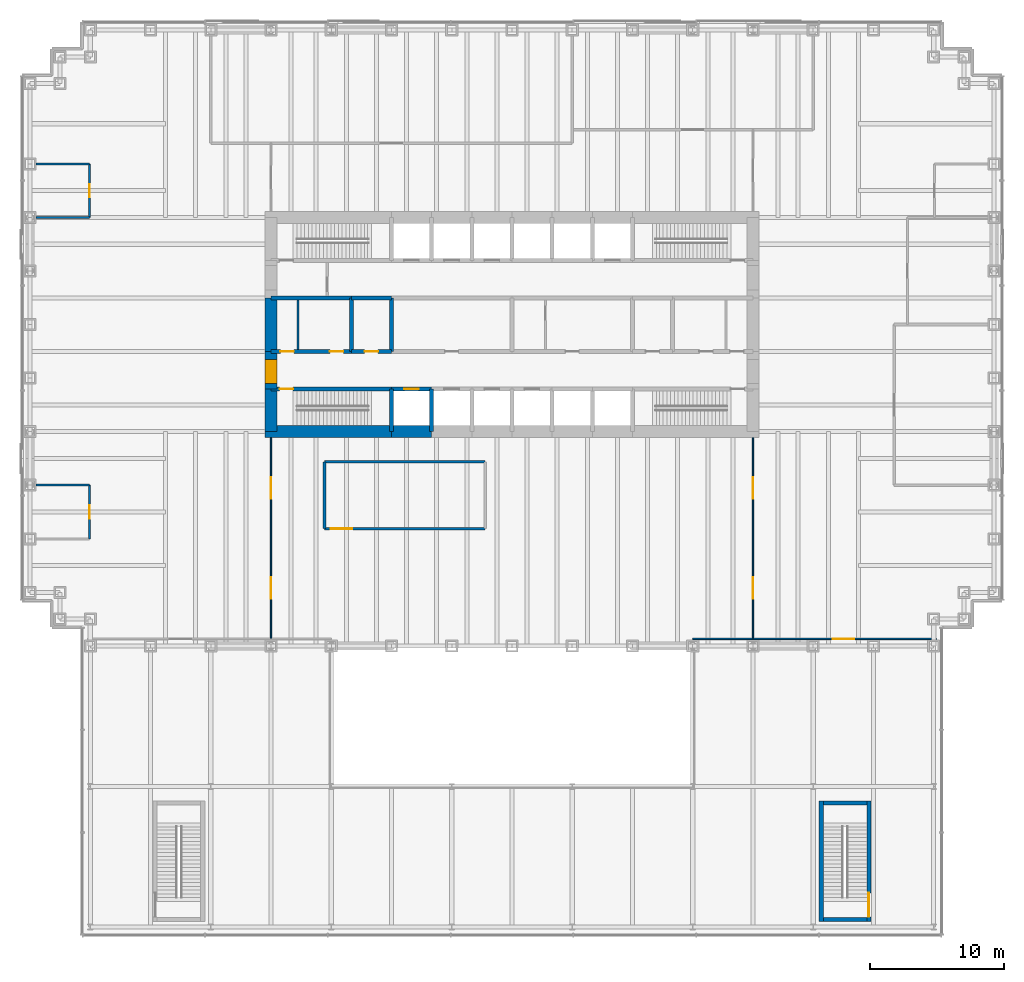
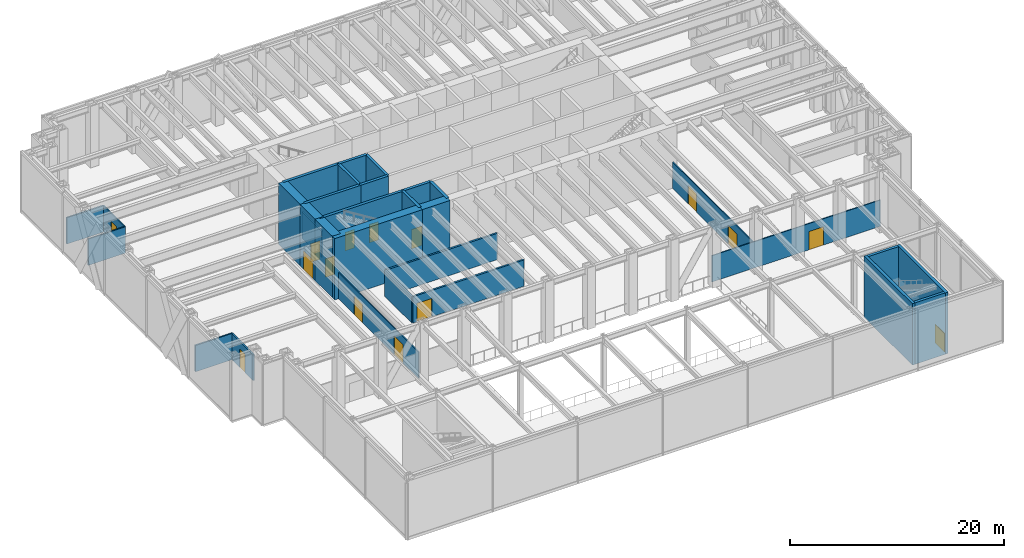
# One storey, part 13 of 17: 31 walls, 15 doors, 15 openings.
"""IFC4 building model written with IfcOpenShell, lengths in metres."""

from ifc_helpers import new_model, si_unit, direction, frame, frame_2d, origin, place, context, subcontext, project, spatial, rectangle, extrude, material, layer, layer_set, type_object, element, fill, save


model = new_model("IFC4")

# Units and contexts
model_context = context("Model", 3, precision=1e-05, world=origin(), true_north=direction((0.0, 1.0)))
body_context = subcontext(model_context, "Body", "Model", "MODEL_VIEW")
ifc_project = project(units=[si_unit("LENGTHUNIT", "METRE"), si_unit("AREAUNIT", "SQUARE_METRE"), si_unit("VOLUMEUNIT", "CUBIC_METRE"), si_unit("PLANEANGLEUNIT", "RADIAN"), si_unit("MASSUNIT", "GRAM", prefix="KILO")], contexts=[model_context])

# Site, building, storey
site_placement = place(None, origin())
site = spatial("IfcSite", under=ifc_project, at=site_placement, CompositionType="ELEMENT")
building_placement = place(site_placement, origin())
building = spatial("IfcBuilding", under=site, at=building_placement, Name="Rheinbord Bourse Tower", CompositionType="ELEMENT")
storey_placement = place(building_placement, frame((0.0, 0.0, 6.0)))
storey = spatial("IfcBuildingStorey", under=building, at=storey_placement, Name="L01", CompositionType="ELEMENT", Elevation=6.0)

# Wall, opening, door
ifc_material_1 = material(Name="Acoustic gypsum board partition", Category="gypsum board")
ifc_layer_1 = layer(ifc_material_1, 0.199951171875)
ifc_layer_set_1 = layer_set([ifc_layer_1], Name="ACOUSTIC PARTITION 200")
wall_type_1 = type_object("IfcWallType", Name="ACOUSTIC PARTITION 200", PredefinedType="PARTITIONING", material=ifc_layer_set_1)
wall_1_placement = place(storey_placement, frame((22.0, 8.75, 0.0), z_axis=(0.0, 0.0, 1.0), x_axis=(1.0, 0.0, 0.0)))
wall_1 = element("IfcWall", 1, at=wall_1_placement, inside=storey, type_object=wall_type_1, Name="Partition L01-02", PredefinedType="PARTITIONING", context=body_context, shape_type="SweptSolid", body=[
    extrude(rectangle(XDim=12.0, YDim=0.199951171875, at=frame_2d((6.0, 0.0))), origin(), (0.0, 0.0, 1.0), 3.0),
])
opening_1_placement = place(wall_1_placement, frame((0.449951171875, 0.0, 0.0)))
opening_1 = element("IfcOpeningElement", 2, at=opening_1_placement, cuts=wall_1, Name="Opening 01D02", PredefinedType="OPENING", context=body_context, shape_type="SweptSolid", body=[
    extrude(rectangle(XDim=1.60009765625, YDim=2.10009765625, at=frame_2d((0.800048828125, 1.050048828125))), frame((0.0, 0.10986328125, 0.0), z_axis=(0.0, -1.0, 0.0), x_axis=(1.0, 0.0, 0.0)), (0.0, 0.0, 1.0), 0.219970703125),
])
ifc_material_2 = material(Name="Timber door", Category="wood")
door_type_1 = type_object("IfcDoorType", Name="DOUBLE ROOM DOOR 1600", OperationType="DOUBLE_DOOR_DOUBLE_SWING", PredefinedType="DOOR", material=ifc_material_2)
door_1_placement = place(opening_1_placement, origin())
door_1 = element("IfcDoor", 3, at=door_1_placement, inside=storey, type_object=door_type_1, Name="Conference room door L01", OperationType="SINGLE_SWING_LEFT", OverallHeight=2.10009765625, OverallWidth=1.60009765625, PredefinedType="DOOR", context=body_context, shape_type="SweptSolid", body=[
    extrude(rectangle(XDim=1.60009765625, YDim=2.10009765625, at=frame_2d((0.800048828125, 1.050048828125))), frame((0.0, 0.02490234375, 0.0), z_axis=(0.0, -1.0, 0.0), x_axis=(1.0, 0.0, 0.0)), (0.0, 0.0, 1.0), 0.050048828125),
])
fill(opening_1, door_1)

# Walls
wall_2_placement = place(storey_placement, frame((22.0, 13.75, 0.0), z_axis=(0.0, 0.0, 1.0), x_axis=(1.0, 0.0, 0.0)))
element("IfcWall", 4, at=wall_2_placement, inside=storey, type_object=wall_type_1, Name="Partition L01-05", PredefinedType="PARTITIONING", context=body_context, shape_type="SweptSolid", body=[
    extrude(rectangle(XDim=12.0, YDim=0.199951171875, at=frame_2d((6.0, 0.0))), origin(), (0.0, 0.0, 1.0), 3.0),
])
wall_3_placement = place(storey_placement, frame((22.0, 8.75, 0.0), z_axis=(0.0, 0.0, 1.0), x_axis=(0.0, 1.0, 0.0)))
element("IfcWall", 5, at=wall_3_placement, inside=storey, type_object=wall_type_1, Name="Partition L01-18", PredefinedType="PARTITIONING", context=body_context, shape_type="SweptSolid", body=[
    extrude(rectangle(XDim=5.0, YDim=0.199951171875, at=frame_2d((2.5, 0.0))), origin(), (0.0, 0.0, 1.0), 3.0),
])

# Wall, opening, door
ifc_material_3 = material(Name="Concrete C50/60", Category="concrete")
ifc_layer_2 = layer(ifc_material_3, 0.300048828125)
ifc_layer_set_2 = layer_set([ifc_layer_2], Name="CORE INNER WALL 300")
wall_type_2 = type_object("IfcWallType", Name="CORE INNER WALL 300", PredefinedType="SOLIDWALL", material=ifc_layer_set_2)
wall_4_placement = place(storey_placement, frame((18.0, 19.199951171875, 0.0), z_axis=(0.0, 0.0, 1.0), x_axis=(1.0, 0.0, 0.0)))
wall_4 = element("IfcWall", 6, at=wall_4_placement, inside=storey, type_object=wall_type_2, Name="Core wall A1 L01", PredefinedType="SOLIDWALL", context=body_context, shape_type="SweptSolid", body=[
    extrude(rectangle(XDim=9.0, YDim=0.300048828125, at=frame_2d((4.5, 0.0))), origin(), (0.0, 0.0, 1.0), 7.0),
])
opening_2_placement = place(wall_4_placement, frame((0.64990234375, 0.0, 0.0)))
opening_2 = element("IfcOpeningElement", 7, at=opening_2_placement, cuts=wall_4, Name="Opening 0110", PredefinedType="OPENING", context=body_context, shape_type="SweptSolid", body=[
    extrude(rectangle(XDim=1.0, YDim=2.10009765625, at=frame_2d((0.5, 1.050048828125))), frame((0.0, 0.159912109375, 0.0), z_axis=(0.0, -1.0, 0.0), x_axis=(1.0, 0.0, 0.0)), (0.0, 0.0, 1.0), 0.320068359375),
])
ifc_material_4 = material(Name="Steel door", Category="steel")
door_type_2 = type_object("IfcDoorType", Name="DOOR 1000 EI30", OperationType="SINGLE_SWING_LEFT", PredefinedType="DOOR", material=ifc_material_4)
door_2_placement = place(opening_2_placement, origin())
door_2 = element("IfcDoor", 8, at=door_2_placement, inside=storey, type_object=door_type_2, Name="Stair door ST1 L01", OperationType="SINGLE_SWING_LEFT", OverallHeight=2.10009765625, OverallWidth=1.0, PredefinedType="DOOR", context=body_context, shape_type="SweptSolid", body=[
    extrude(rectangle(XDim=1.0, YDim=2.10009765625, at=frame_2d((0.5, 1.050048828125))), frame((0.0, 0.02490234375, 0.0), z_axis=(0.0, -1.0, 0.0), x_axis=(1.0, 0.0, 0.0)), (0.0, 0.0, 1.0), 0.050048828125),
])
fill(opening_2, door_2)

wall_5_placement = place(storey_placement, frame((27.0, 19.199951171875, 0.0), z_axis=(0.0, 0.0, 1.0), x_axis=(1.0, 0.0, 0.0)))
wall_5 = element("IfcWall", 9, at=wall_5_placement, inside=storey, type_object=wall_type_2, Name="Core wall A2 L01", PredefinedType="SOLIDWALL", context=body_context, shape_type="SweptSolid", body=[
    extrude(rectangle(XDim=3.0, YDim=0.300048828125, at=frame_2d((1.5, 0.0))), origin(), (0.0, 0.0, 1.0), 7.0),
])
opening_3_placement = place(wall_5_placement, frame((0.949951171875, 0.0, 0.0)))
opening_3 = element("IfcOpeningElement", 10, at=opening_3_placement, cuts=wall_5, Name="Opening FL1", PredefinedType="OPENING", context=body_context, shape_type="SweptSolid", body=[
    extrude(rectangle(XDim=1.10009765625, YDim=2.199951171875, at=frame_2d((0.550048828125, 1.10009765625))), frame((0.0, 0.159912109375, 0.0), z_axis=(0.0, -1.0, 0.0), x_axis=(1.0, 0.0, 0.0)), (0.0, 0.0, 1.0), 0.320068359375),
])
ifc_material_5 = material(Name="Steel landing door", Category="steel")
door_type_3 = type_object("IfcDoorType", Name="LIFT LANDING DOOR 1100", OperationType="DOUBLE_DOOR_SLIDING", PredefinedType="USERDEFINED", material=ifc_material_5)
door_3_placement = place(opening_3_placement, origin())
door_3 = element("IfcDoor", 11, at=door_3_placement, inside=storey, type_object=door_type_3, Name="Lift landing door FL1 L01", ObjectType="LIFT LANDING DOOR", OperationType="DOUBLE_DOOR_SLIDING", OverallHeight=2.199951171875, OverallWidth=1.10009765625, PredefinedType="USERDEFINED", context=body_context, shape_type="SweptSolid", body=[
    extrude(rectangle(XDim=1.10009765625, YDim=2.199951171875, at=frame_2d((0.550048828125, 1.10009765625))), frame((0.0, 0.02490234375, 0.0), z_axis=(0.0, -1.0, 0.0), x_axis=(1.0, 0.0, 0.0)), (0.0, 0.0, 1.0), 0.050048828125),
])
fill(opening_3, door_3)

# Wall, openings, doors
wall_6_placement = place(storey_placement, frame((18.0, 22.0, 0.0), z_axis=(0.0, 0.0, 1.0), x_axis=(1.0, 0.0, 0.0)))
wall_6 = element("IfcWall", 12, at=wall_6_placement, inside=storey, type_object=wall_type_2, Name="Core wall C1 L01", PredefinedType="SOLIDWALL", context=body_context, shape_type="SweptSolid", body=[
    extrude(rectangle(XDim=6.0, YDim=0.300048828125, at=frame_2d((3.0, 0.0))), origin(), (0.0, 0.0, 1.0), 7.0),
])
opening_4_placement = place(wall_6_placement, frame((4.39990234375, 0.0, 0.0)))
opening_4 = element("IfcOpeningElement", 13, at=opening_4_placement, cuts=wall_6, Name="Opening 01R1", PredefinedType="OPENING", context=body_context, shape_type="SweptSolid", body=[
    extrude(rectangle(XDim=1.0, YDim=2.10009765625, at=frame_2d((0.5, 1.050048828125))), frame((0.0, 0.159912109375, 0.0), z_axis=(0.0, -1.0, 0.0), x_axis=(1.0, 0.0, 0.0)), (0.0, 0.0, 1.0), 0.320068359375),
])
opening_5_placement = place(wall_6_placement, frame((0.699951171875, 0.0, 0.0)))
opening_5 = element("IfcOpeningElement", 14, at=opening_5_placement, cuts=wall_6, Name="Opening 01R9", PredefinedType="OPENING", context=body_context, shape_type="SweptSolid", body=[
    extrude(rectangle(XDim=1.0, YDim=2.10009765625, at=frame_2d((0.5, 1.050048828125))), frame((0.0, 0.159912109375, 0.0), z_axis=(0.0, -1.0, 0.0), x_axis=(1.0, 0.0, 0.0)), (0.0, 0.0, 1.0), 0.320068359375),
])
door_4_placement = place(opening_5_placement, origin())
door_4 = element("IfcDoor", 15, at=door_4_placement, inside=storey, type_object=door_type_2, Name="Staff shower door L01", OperationType="SINGLE_SWING_LEFT", OverallHeight=2.10009765625, OverallWidth=1.0, PredefinedType="DOOR", context=body_context, shape_type="SweptSolid", body=[
    extrude(rectangle(XDim=1.0, YDim=2.10009765625, at=frame_2d((0.5, 1.050048828125))), frame((0.0, 0.02490234375, 0.0), z_axis=(0.0, -1.0, 0.0), x_axis=(1.0, 0.0, 0.0)), (0.0, 0.0, 1.0), 0.050048828125),
])
fill(opening_5, door_4)
ifc_material_6 = material(Name="Timber door", Category="wood")
door_type_4 = type_object("IfcDoorType", Name="DOOR 1000 WC", OperationType="SINGLE_SWING_LEFT", PredefinedType="DOOR", material=ifc_material_6)
door_5_placement = place(opening_4_placement, origin())
door_5 = element("IfcDoor", 16, at=door_5_placement, inside=storey, type_object=door_type_4, Name="WC men door L01", OperationType="SINGLE_SWING_RIGHT", OverallHeight=2.10009765625, OverallWidth=1.0, PredefinedType="DOOR", context=body_context, shape_type="SweptSolid", body=[
    extrude(rectangle(XDim=1.0, YDim=2.10009765625, at=frame_2d((0.5, 1.050048828125))), frame((0.0, 0.02490234375, 0.0), z_axis=(0.0, -1.0, 0.0), x_axis=(1.0, 0.0, 0.0)), (0.0, 0.0, 1.0), 0.050048828125),
])
fill(opening_4, door_5)

# Wall, opening, door
wall_7_placement = place(storey_placement, frame((24.0, 22.0, 0.0), z_axis=(0.0, 0.0, 1.0), x_axis=(1.0, 0.0, 0.0)))
wall_7 = element("IfcWall", 17, at=wall_7_placement, inside=storey, type_object=wall_type_2, Name="Core wall C2 L01", PredefinedType="SOLIDWALL", context=body_context, shape_type="SweptSolid", body=[
    extrude(rectangle(XDim=3.0, YDim=0.300048828125, at=frame_2d((1.5, 0.0))), origin(), (0.0, 0.0, 1.0), 7.0),
])
opening_6_placement = place(wall_7_placement, frame((1.0, 0.0, 0.0)))
opening_6 = element("IfcOpeningElement", 18, at=opening_6_placement, cuts=wall_7, Name="Opening 01R2", PredefinedType="OPENING", context=body_context, shape_type="SweptSolid", body=[
    extrude(rectangle(XDim=1.0, YDim=2.10009765625, at=frame_2d((0.5, 1.050048828125))), frame((0.0, 0.159912109375, 0.0), z_axis=(0.0, -1.0, 0.0), x_axis=(1.0, 0.0, 0.0)), (0.0, 0.0, 1.0), 0.320068359375),
])
door_6_placement = place(opening_6_placement, origin())
door_6 = element("IfcDoor", 19, at=door_6_placement, inside=storey, type_object=door_type_4, Name="Accessible WC door L01", OperationType="SINGLE_SWING_LEFT", OverallHeight=2.10009765625, OverallWidth=1.0, PredefinedType="DOOR", context=body_context, shape_type="SweptSolid", body=[
    extrude(rectangle(XDim=1.0, YDim=2.10009765625, at=frame_2d((0.5, 1.050048828125))), frame((0.0, 0.02490234375, 0.0), z_axis=(0.0, -1.0, 0.0), x_axis=(1.0, 0.0, 0.0)), (0.0, 0.0, 1.0), 0.050048828125),
])
fill(opening_6, door_6)

# Walls
wall_8_placement = place(storey_placement, frame((18.0, 26.0, 0.0), z_axis=(0.0, 0.0, 1.0), x_axis=(1.0, 0.0, 0.0)))
element("IfcWall", 20, at=wall_8_placement, inside=storey, type_object=wall_type_2, Name="Core wall D1 L01", PredefinedType="SOLIDWALL", context=body_context, shape_type="SweptSolid", body=[
    extrude(rectangle(XDim=6.0, YDim=0.300048828125, at=frame_2d((3.0, 0.0))), origin(), (0.0, 0.0, 1.0), 7.0),
])
wall_9_placement = place(storey_placement, frame((24.0, 26.0, 0.0), z_axis=(0.0, 0.0, 1.0), x_axis=(1.0, 0.0, 0.0)))
element("IfcWall", 21, at=wall_9_placement, inside=storey, type_object=wall_type_2, Name="Core wall D2 L01", PredefinedType="SOLIDWALL", context=body_context, shape_type="SweptSolid", body=[
    extrude(rectangle(XDim=3.0, YDim=0.300048828125, at=frame_2d((1.5, 0.0))), origin(), (0.0, 0.0, 1.0), 7.0),
])
for number, where, z_axis, x_axis, name in (
    (22, (27.0, 16.0, 0.0), (0.0, 0.0, 1.0), (0.0, 1.0, 0.0), "Core wall SX27 L01"),
    (23, (30.0, 16.0, 0.0), (0.0, 0.0, 1.0), (0.0, 1.0, 0.0), "Core wall SX30 L01"),
):
    element("IfcWall", number, at=place(storey_placement, frame(where, z_axis=z_axis, x_axis=x_axis)), inside=storey, type_object=wall_type_2, Name=name, PredefinedType="SOLIDWALL", context=body_context, shape_type="SweptSolid", body=[
        extrude(rectangle(XDim=3.199951171875, YDim=0.300048828125, at=frame_2d((1.60009765625, 0.0))), origin(), (0.0, 0.0, 1.0), 7.0),
    ])
for number, where, z_axis, x_axis, name in (
    (24, (24.0, 22.0, 0.0), (0.0, 0.0, 1.0), (0.0, 1.0, 0.0), "Core wall MX24 L01"),
    (25, (27.0, 22.0, 0.0), (0.0, 0.0, 1.0), (0.0, 1.0, 0.0), "Core wall MX27 L01"),
):
    element("IfcWall", number, at=place(storey_placement, frame(where, z_axis=z_axis, x_axis=x_axis)), inside=storey, type_object=wall_type_2, Name=name, PredefinedType="SOLIDWALL", context=body_context, shape_type="SweptSolid", body=[
        extrude(rectangle(XDim=4.0, YDim=0.300048828125, at=frame_2d((2.0, 0.0))), origin(), (0.0, 0.0, 1.0), 7.0),
    ])
ifc_material_7 = material(Name="Gypsum board fire partition", Category="gypsum board")
ifc_layer_3 = layer(ifc_material_7, 0.14990234375)
ifc_layer_set_3 = layer_set([ifc_layer_3], Name="CORE PARTITION 150 EI30")
wall_type_3 = type_object("IfcWallType", Name="CORE PARTITION 150 EI30", PredefinedType="PARTITIONING", material=ifc_layer_set_3)
wall_10_placement = place(storey_placement, frame((20.02490234375, 22.14990234375, 0.0), z_axis=(0.0, 0.0, 1.0), x_axis=(0.0, 1.0, 0.0)))
element("IfcWall", 26, at=wall_10_placement, inside=storey, type_object=wall_type_3, Name="Core partition L01-2", PredefinedType="PARTITIONING", context=body_context, shape_type="SweptSolid", body=[
    extrude(rectangle(XDim=3.7001953125, YDim=0.14990234375, at=frame_2d((1.85009765625, 0.0))), origin(), (0.0, 0.0, 1.0), 3.0),
])
ifc_material_8 = material(Name="Concrete C50/60", Category="concrete")
ifc_layer_4 = layer(ifc_material_8, 0.89990234375)
ifc_layer_set_4 = layer_set([ifc_layer_4], Name="CORE WALL 900")
wall_type_4 = type_object("IfcWallType", Name="CORE WALL 900", PredefinedType="SHEAR", material=ifc_layer_set_4)
wall_11_placement = place(storey_placement, frame((17.550048828125, 16.0, 0.0), z_axis=(0.0, 0.0, 1.0), x_axis=(1.0, 0.0, 0.0)))
element("IfcWall", 27, at=wall_11_placement, inside=storey, type_object=wall_type_4, Name="Core wall S1 L01", PredefinedType="SHEAR", context=body_context, shape_type="SweptSolid", body=[
    extrude(rectangle(XDim=9.449951171875, YDim=0.89990234375, at=frame_2d((4.72509765625, 0.0))), origin(), (0.0, 0.0, 1.0), 7.0),
])
wall_12_placement = place(storey_placement, frame((27.0, 16.0, 0.0), z_axis=(0.0, 0.0, 1.0), x_axis=(1.0, 0.0, 0.0)))
element("IfcWall", 28, at=wall_12_placement, inside=storey, type_object=wall_type_4, Name="Core wall S2 L01", PredefinedType="SHEAR", context=body_context, shape_type="SweptSolid", body=[
    extrude(rectangle(XDim=3.0, YDim=0.89990234375, at=frame_2d((1.5, 0.0))), origin(), (0.0, 0.0, 1.0), 7.0),
])
wall_13_placement = place(storey_placement, frame((18.0, 26.0, 0.0), z_axis=(0.0, 0.0, 1.0), x_axis=(0.0, -1.0, 0.0)))
element("IfcWall", 29, at=wall_13_placement, inside=storey, type_object=wall_type_4, Name="Core wall W3 L01", PredefinedType="SHEAR", context=body_context, shape_type="SweptSolid", body=[
    extrude(rectangle(XDim=4.0, YDim=0.89990234375, at=frame_2d((2.0, 0.0))), origin(), (0.0, 0.0, 1.0), 7.0),
])

# Wall, opening, door
wall_14_placement = place(storey_placement, frame((18.0, 22.0, 0.0), z_axis=(0.0, 0.0, 1.0), x_axis=(0.0, -1.0, 0.0)))
wall_14 = element("IfcWall", 30, at=wall_14_placement, inside=storey, type_object=wall_type_4, Name="Core wall W4 L01", PredefinedType="SHEAR", context=body_context, shape_type="SweptSolid", body=[
    extrude(rectangle(XDim=2.800048828125, YDim=0.89990234375, at=frame_2d((1.39990234375, 0.0))), origin(), (0.0, 0.0, 1.0), 7.0),
])
opening_7_placement = place(wall_14_placement, frame((0.60009765625, 0.0, 0.0)))
opening_7 = element("IfcOpeningElement", 31, at=opening_7_placement, cuts=wall_14, Name="Opening 01L1", PredefinedType="OPENING", context=body_context, shape_type="SweptSolid", body=[
    extrude(rectangle(XDim=1.800048828125, YDim=2.10009765625, at=frame_2d((0.89990234375, 1.050048828125))), frame((0.0, 0.4599609375, 0.0), z_axis=(0.0, -1.0, 0.0), x_axis=(1.0, 0.0, 0.0)), (0.0, 0.0, 1.0), 0.919921875),
])
ifc_material_9 = material(Name="Steel door", Category="steel")
door_type_5 = type_object("IfcDoorType", Name="DOOR 1800 EI30 DOUBLE", OperationType="DOUBLE_DOOR_DOUBLE_SWING", PredefinedType="DOOR", material=ifc_material_9)
door_7_placement = place(opening_7_placement, origin())
door_7 = element("IfcDoor", 32, at=door_7_placement, inside=storey, type_object=door_type_5, Name="Lobby door 1 L01", OperationType="SINGLE_SWING_LEFT", OverallHeight=2.10009765625, OverallWidth=1.800048828125, PredefinedType="DOOR", context=body_context, shape_type="SweptSolid", body=[
    extrude(rectangle(XDim=1.800048828125, YDim=2.10009765625, at=frame_2d((0.89990234375, 1.050048828125))), frame((0.0, 0.44970703125, 0.0), z_axis=(0.0, -1.0, 0.0), x_axis=(1.0, 0.0, 0.0)), (0.0, 0.0, 1.0), 0.8994140625),
])
fill(opening_7, door_7)

# Wall
wall_15_placement = place(storey_placement, frame((18.0, 19.199951171875, 0.0), z_axis=(0.0, 0.0, 1.0), x_axis=(0.0, -1.0, 0.0)))
element("IfcWall", 33, at=wall_15_placement, inside=storey, type_object=wall_type_4, Name="Core wall W5 L01", PredefinedType="SHEAR", context=body_context, shape_type="SweptSolid", body=[
    extrude(rectangle(XDim=3.199951171875, YDim=0.89990234375, at=frame_2d((1.60009765625, 0.0))), origin(), (0.0, 0.0, 1.0), 7.0),
])

# Wall, openings, doors
ifc_material_10 = material(Name="Toughened laminated glass partition", Category="glass")
ifc_layer_5 = layer(ifc_material_10, 0.10009765625)
ifc_layer_set_5 = layer_set([ifc_layer_5], Name="GLAZED PARTITION 100")
wall_type_5 = type_object("IfcWallType", Name="GLAZED PARTITION 100", PredefinedType="PARTITIONING", material=ifc_layer_set_5)
wall_16_placement = place(storey_placement, frame((18.0, 0.574951171875, 0.0), z_axis=(0.0, 0.0, 1.0), x_axis=(0.0, 1.0, 0.0)))
wall_16 = element("IfcWall", 34, at=wall_16_placement, inside=storey, type_object=wall_type_5, Name="Partition L01-16", PredefinedType="PARTITIONING", context=body_context, shape_type="SweptSolid", body=[
    extrude(rectangle(XDim=14.97509765625, YDim=0.10009765625, at=frame_2d((7.487548828125, 0.0))), origin(), (0.0, 0.0, 1.0), 3.0),
])
opening_8_placement = place(wall_16_placement, frame((2.944091796875, 0.0, 0.0)))
opening_8 = element("IfcOpeningElement", 35, at=opening_8_placement, cuts=wall_16, Name="Opening 01D09", PredefinedType="OPENING", context=body_context, shape_type="SweptSolid", body=[
    extrude(rectangle(XDim=1.60009765625, YDim=2.10009765625, at=frame_2d((0.800048828125, 1.050048828125))), frame((0.0, 0.06005859375, 0.0), z_axis=(0.0, -1.0, 0.0), x_axis=(1.0, 0.0, 0.0)), (0.0, 0.0, 1.0), 0.1201171875),
])
opening_9_placement = place(wall_16_placement, frame((10.430908203125, 0.0, 0.0)))
opening_9 = element("IfcOpeningElement", 36, at=opening_9_placement, cuts=wall_16, Name="Opening 01D10", PredefinedType="OPENING", context=body_context, shape_type="SweptSolid", body=[
    extrude(rectangle(XDim=1.60009765625, YDim=2.10009765625, at=frame_2d((0.800048828125, 1.050048828125))), frame((0.0, 0.06005859375, 0.0), z_axis=(0.0, -1.0, 0.0), x_axis=(1.0, 0.0, 0.0)), (0.0, 0.0, 1.0), 0.1201171875),
])
door_8_placement = place(opening_8_placement, origin())
door_8 = element("IfcDoor", 37, at=door_8_placement, inside=storey, type_object=door_type_1, Name="Open area door L01", OperationType="SINGLE_SWING_LEFT", OverallHeight=2.10009765625, OverallWidth=1.60009765625, PredefinedType="DOOR", context=body_context, shape_type="SweptSolid", body=[
    extrude(rectangle(XDim=1.60009765625, YDim=2.10009765625, at=frame_2d((0.800048828125, 1.050048828125))), frame((0.0, 0.02490234375, 0.0), z_axis=(0.0, -1.0, 0.0), x_axis=(1.0, 0.0, 0.0)), (0.0, 0.0, 1.0), 0.050048828125),
])
fill(opening_8, door_8)
door_9_placement = place(opening_9_placement, origin())
door_9 = element("IfcDoor", 38, at=door_9_placement, inside=storey, type_object=door_type_1, Name="Open area door L01", OperationType="SINGLE_SWING_LEFT", OverallHeight=2.10009765625, OverallWidth=1.60009765625, PredefinedType="DOOR", context=body_context, shape_type="SweptSolid", body=[
    extrude(rectangle(XDim=1.60009765625, YDim=2.10009765625, at=frame_2d((0.800048828125, 1.050048828125))), frame((0.0, 0.02490234375, 0.0), z_axis=(0.0, -1.0, 0.0), x_axis=(1.0, 0.0, 0.0)), (0.0, 0.0, 1.0), 0.050048828125),
])
fill(opening_9, door_9)

wall_17_placement = place(storey_placement, frame((54.0, 0.574951171875, 0.0), z_axis=(0.0, 0.0, 1.0), x_axis=(0.0, 1.0, 0.0)))
wall_17 = element("IfcWall", 39, at=wall_17_placement, inside=storey, type_object=wall_type_5, Name="Partition L01-21", PredefinedType="PARTITIONING", context=body_context, shape_type="SweptSolid", body=[
    extrude(rectangle(XDim=14.97509765625, YDim=0.10009765625, at=frame_2d((7.487548828125, 0.0))), origin(), (0.0, 0.0, 1.0), 3.0),
])
opening_10_placement = place(wall_17_placement, frame((2.944091796875, 0.0, 0.0)))
opening_10 = element("IfcOpeningElement", 40, at=opening_10_placement, cuts=wall_17, Name="Opening 01D12", PredefinedType="OPENING", context=body_context, shape_type="SweptSolid", body=[
    extrude(rectangle(XDim=1.60009765625, YDim=2.10009765625, at=frame_2d((0.800048828125, 1.050048828125))), frame((0.0, 0.06005859375, 0.0), z_axis=(0.0, -1.0, 0.0), x_axis=(1.0, 0.0, 0.0)), (0.0, 0.0, 1.0), 0.1201171875),
])
opening_11_placement = place(wall_17_placement, frame((10.430908203125, 0.0, 0.0)))
opening_11 = element("IfcOpeningElement", 41, at=opening_11_placement, cuts=wall_17, Name="Opening 01D13", PredefinedType="OPENING", context=body_context, shape_type="SweptSolid", body=[
    extrude(rectangle(XDim=1.60009765625, YDim=2.10009765625, at=frame_2d((0.800048828125, 1.050048828125))), frame((0.0, 0.06005859375, 0.0), z_axis=(0.0, -1.0, 0.0), x_axis=(1.0, 0.0, 0.0)), (0.0, 0.0, 1.0), 0.1201171875),
])
door_10_placement = place(opening_10_placement, origin())
door_10 = element("IfcDoor", 42, at=door_10_placement, inside=storey, type_object=door_type_1, Name="Open area door L01", OperationType="SINGLE_SWING_LEFT", OverallHeight=2.10009765625, OverallWidth=1.60009765625, PredefinedType="DOOR", context=body_context, shape_type="SweptSolid", body=[
    extrude(rectangle(XDim=1.60009765625, YDim=2.10009765625, at=frame_2d((0.800048828125, 1.050048828125))), frame((0.0, 0.02490234375, 0.0), z_axis=(0.0, -1.0, 0.0), x_axis=(1.0, 0.0, 0.0)), (0.0, 0.0, 1.0), 0.050048828125),
])
fill(opening_10, door_10)
door_11_placement = place(opening_11_placement, origin())
door_11 = element("IfcDoor", 43, at=door_11_placement, inside=storey, type_object=door_type_1, Name="Open area door L01", OperationType="SINGLE_SWING_LEFT", OverallHeight=2.10009765625, OverallWidth=1.60009765625, PredefinedType="DOOR", context=body_context, shape_type="SweptSolid", body=[
    extrude(rectangle(XDim=1.60009765625, YDim=2.10009765625, at=frame_2d((0.800048828125, 1.050048828125))), frame((0.0, 0.02490234375, 0.0), z_axis=(0.0, -1.0, 0.0), x_axis=(1.0, 0.0, 0.0)), (0.0, 0.0, 1.0), 0.050048828125),
])
fill(opening_11, door_11)

# Wall, opening, door
wall_18_placement = place(storey_placement, frame((49.5, 0.52490234375, 0.0), z_axis=(0.0, 0.0, 1.0), x_axis=(1.0, 0.0, 0.0)))
wall_18 = element("IfcWall", 44, at=wall_18_placement, inside=storey, type_object=wall_type_5, Name="Podium screen L01-2", PredefinedType="PARTITIONING", context=body_context, shape_type="SweptSolid", body=[
    extrude(rectangle(XDim=18.199951171875, YDim=0.10009765625, at=frame_2d((9.10009765625, 0.0))), origin(), (0.0, 0.0, 1.0), 3.0),
])
opening_12_placement = place(wall_18_placement, frame((10.449951171875, 0.0, 0.0)))
opening_12 = element("IfcOpeningElement", 45, at=opening_12_placement, cuts=wall_18, Name="Opening 01D16", PredefinedType="OPENING", context=body_context, shape_type="SweptSolid", body=[
    extrude(rectangle(XDim=1.60009765625, YDim=2.10009765625, at=frame_2d((0.800048828125, 1.050048828125))), frame((0.0, 0.06005859375, 0.0), z_axis=(0.0, -1.0, 0.0), x_axis=(1.0, 0.0, 0.0)), (0.0, 0.0, 1.0), 0.1201171875),
])
door_12_placement = place(opening_12_placement, origin())
door_12 = element("IfcDoor", 46, at=door_12_placement, inside=storey, type_object=door_type_1, Name="Podium screen door L01", OperationType="SINGLE_SWING_LEFT", OverallHeight=2.10009765625, OverallWidth=1.60009765625, PredefinedType="DOOR", context=body_context, shape_type="SweptSolid", body=[
    extrude(rectangle(XDim=1.60009765625, YDim=2.10009765625, at=frame_2d((0.800048828125, 1.050048828125))), frame((0.0, 0.02490234375, 0.0), z_axis=(0.0, -1.0, 0.0), x_axis=(1.0, 0.0, 0.0)), (0.0, 0.0, 1.0), 0.050048828125),
])
fill(opening_12, door_12)

# Walls
ifc_material_11 = material(Name="Gypsum board partition", Category="gypsum board")
ifc_layer_6 = layer(ifc_material_11, 0.14990234375)
ifc_layer_set_6 = layer_set([ifc_layer_6], Name="PARTITION 150")
wall_type_6 = type_object("IfcWallType", Name="PARTITION 150", PredefinedType="PARTITIONING", material=ifc_layer_set_6)
for number, where, z_axis, x_axis, name in (
    (47, (0.449951171875, 12.0, 0.0), (0.0, 0.0, 1.0), (1.0, 0.0, 0.0), "Partition L01-03"),
    (48, (0.449951171875, 32.0, 0.0), (0.0, 0.0, 1.0), (1.0, 0.0, 0.0), "Partition L01-07"),
    (49, (0.449951171875, 36.0, 0.0), (0.0, 0.0, 1.0), (1.0, 0.0, 0.0), "Partition L01-09"),
):
    element("IfcWall", number, at=place(storey_placement, frame(where, z_axis=z_axis, x_axis=x_axis)), inside=storey, type_object=wall_type_6, Name=name, PredefinedType="PARTITIONING", context=body_context, shape_type="SweptSolid", body=[
        extrude(rectangle(XDim=4.0, YDim=0.14990234375, at=frame_2d((2.0, 0.0))), origin(), (0.0, 0.0, 1.0), 3.0),
    ])

# Wall, opening, door
wall_19_placement = place(storey_placement, frame((4.449951171875, 8.0, 0.0), z_axis=(0.0, 0.0, 1.0), x_axis=(0.0, 1.0, 0.0)))
wall_19 = element("IfcWall", 50, at=wall_19_placement, inside=storey, type_object=wall_type_6, Name="Partition L01-13", PredefinedType="PARTITIONING", context=body_context, shape_type="SweptSolid", body=[
    extrude(rectangle(XDim=4.0, YDim=0.14990234375, at=frame_2d((2.0, 0.0))), origin(), (0.0, 0.0, 1.0), 3.0),
])
opening_13_placement = place(wall_19_placement, frame((1.5, 0.0, 0.0)))
opening_13 = element("IfcOpeningElement", 51, at=opening_13_placement, cuts=wall_19, Name="Opening 01D01", PredefinedType="OPENING", context=body_context, shape_type="SweptSolid", body=[
    extrude(rectangle(XDim=1.0, YDim=2.10009765625, at=frame_2d((0.5, 1.050048828125))), frame((0.0, 0.0849609375, 0.0), z_axis=(0.0, -1.0, 0.0), x_axis=(1.0, 0.0, 0.0)), (0.0, 0.0, 1.0), 0.169921875),
])
ifc_material_12 = material(Name="Timber door", Category="wood")
door_type_6 = type_object("IfcDoorType", Name="ROOM DOOR 1000", OperationType="SINGLE_SWING_LEFT", PredefinedType="DOOR", material=ifc_material_12)
door_13_placement = place(opening_13_placement, origin())
door_13 = element("IfcDoor", 52, at=door_13_placement, inside=storey, type_object=door_type_6, Name="Cloakroom door L01", OperationType="SINGLE_SWING_LEFT", OverallHeight=2.10009765625, OverallWidth=1.0, PredefinedType="DOOR", context=body_context, shape_type="SweptSolid", body=[
    extrude(rectangle(XDim=1.0, YDim=2.10009765625, at=frame_2d((0.5, 1.050048828125))), frame((0.0, 0.02490234375, 0.0), z_axis=(0.0, -1.0, 0.0), x_axis=(1.0, 0.0, 0.0)), (0.0, 0.0, 1.0), 0.050048828125),
])
fill(opening_13, door_13)

wall_20_placement = place(storey_placement, frame((4.449951171875, 32.0, 0.0), z_axis=(0.0, 0.0, 1.0), x_axis=(0.0, 1.0, 0.0)))
wall_20 = element("IfcWall", 53, at=wall_20_placement, inside=storey, type_object=wall_type_6, Name="Partition L01-14", PredefinedType="PARTITIONING", context=body_context, shape_type="SweptSolid", body=[
    extrude(rectangle(XDim=4.0, YDim=0.14990234375, at=frame_2d((2.0, 0.0))), origin(), (0.0, 0.0, 1.0), 3.0),
])
opening_14_placement = place(wall_20_placement, frame((1.5, 0.0, 0.0)))
opening_14 = element("IfcOpeningElement", 54, at=opening_14_placement, cuts=wall_20, Name="Opening 01D05", PredefinedType="OPENING", context=body_context, shape_type="SweptSolid", body=[
    extrude(rectangle(XDim=1.0, YDim=2.10009765625, at=frame_2d((0.5, 1.050048828125))), frame((0.0, 0.0849609375, 0.0), z_axis=(0.0, -1.0, 0.0), x_axis=(1.0, 0.0, 0.0)), (0.0, 0.0, 1.0), 0.169921875),
])
door_14_placement = place(opening_14_placement, origin())
door_14 = element("IfcDoor", 55, at=door_14_placement, inside=storey, type_object=door_type_6, Name="Store door L01", OperationType="SINGLE_SWING_LEFT", OverallHeight=2.10009765625, OverallWidth=1.0, PredefinedType="DOOR", context=body_context, shape_type="SweptSolid", body=[
    extrude(rectangle(XDim=1.0, YDim=2.10009765625, at=frame_2d((0.5, 1.050048828125))), frame((0.0, 0.02490234375, 0.0), z_axis=(0.0, -1.0, 0.0), x_axis=(1.0, 0.0, 0.0)), (0.0, 0.0, 1.0), 0.050048828125),
])
fill(opening_14, door_14)

# Wall
ifc_material_13 = material(Name="Concrete C50/60", Category="concrete")
ifc_layer_7 = layer(ifc_material_13, 0.300048828125)
ifc_layer_set_7 = layer_set([ifc_layer_7], Name="PODIUM STAIR WALL 300")
wall_type_7 = type_object("IfcWallType", Name="PODIUM STAIR WALL 300", PredefinedType="SOLIDWALL", material=ifc_layer_set_7)
wall_21_placement = place(storey_placement, frame((59.10009765625, -20.60009765625, 0.0), z_axis=(0.0, 0.0, 1.0), x_axis=(0.0, 1.0, 0.0)))
element("IfcWall", 56, at=wall_21_placement, inside=storey, type_object=wall_type_7, Name="Stair wall ST6 W L01", PredefinedType="SOLIDWALL", context=body_context, shape_type="SweptSolid", body=[
    extrude(rectangle(XDim=9.0, YDim=0.300048828125, at=frame_2d((4.5, 0.0))), origin(), (0.0, 0.0, 1.0), 7.0),
])

# Wall, opening, door
wall_22_placement = place(storey_placement, frame((62.64990234375, -20.60009765625, 0.0), z_axis=(0.0, 0.0, 1.0), x_axis=(0.0, 1.0, 0.0)))
wall_22 = element("IfcWall", 57, at=wall_22_placement, inside=storey, type_object=wall_type_7, Name="Stair wall ST6 E L01", PredefinedType="SOLIDWALL", context=body_context, shape_type="SweptSolid", body=[
    extrude(rectangle(XDim=9.0, YDim=0.300048828125, at=frame_2d((4.5, 0.0))), origin(), (0.0, 0.0, 1.0), 7.0),
])
opening_15_placement = place(wall_22_placement, frame((0.35009765625, 0.0, 0.0)))
opening_15 = element("IfcOpeningElement", 58, at=opening_15_placement, cuts=wall_22, Name="Opening 0161", PredefinedType="OPENING", context=body_context, shape_type="SweptSolid", body=[
    extrude(rectangle(XDim=1.800048828125, YDim=2.10009765625, at=frame_2d((0.89990234375, 1.050048828125))), frame((0.0, 0.159912109375, 0.0), z_axis=(0.0, -1.0, 0.0), x_axis=(1.0, 0.0, 0.0)), (0.0, 0.0, 1.0), 0.320068359375),
])
door_15_placement = place(opening_15_placement, origin())
door_15 = element("IfcDoor", 59, at=door_15_placement, inside=storey, type_object=door_type_5, Name="Stair door ST6 L01", OperationType="SINGLE_SWING_LEFT", OverallHeight=2.10009765625, OverallWidth=1.800048828125, PredefinedType="DOOR", context=body_context, shape_type="SweptSolid", body=[
    extrude(rectangle(XDim=1.800048828125, YDim=2.10009765625, at=frame_2d((0.89990234375, 1.050048828125))), frame((0.0, 0.02490234375, 0.0), z_axis=(0.0, -1.0, 0.0), x_axis=(1.0, 0.0, 0.0)), (0.0, 0.0, 1.0), 0.050048828125),
])
fill(opening_15, door_15)

# Walls
for number, where, z_axis, x_axis, name in (
    (60, (59.25, -20.449951171875, 0.0), (0.0, 0.0, 1.0), (1.0, 0.0, 0.0), "Stair wall ST6 S L01"),
    (61, (59.25, -11.75, 0.0), (0.0, 0.0, 1.0), (1.0, 0.0, 0.0), "Stair wall ST6 N L01"),
):
    element("IfcWall", number, at=place(storey_placement, frame(where, z_axis=z_axis, x_axis=x_axis)), inside=storey, type_object=wall_type_7, Name=name, PredefinedType="SOLIDWALL", context=body_context, shape_type="SweptSolid", body=[
        extrude(rectangle(XDim=3.25, YDim=0.300048828125, at=frame_2d((1.625, 0.0))), origin(), (0.0, 0.0, 1.0), 7.0),
    ])

save(model, "model.ifc")
